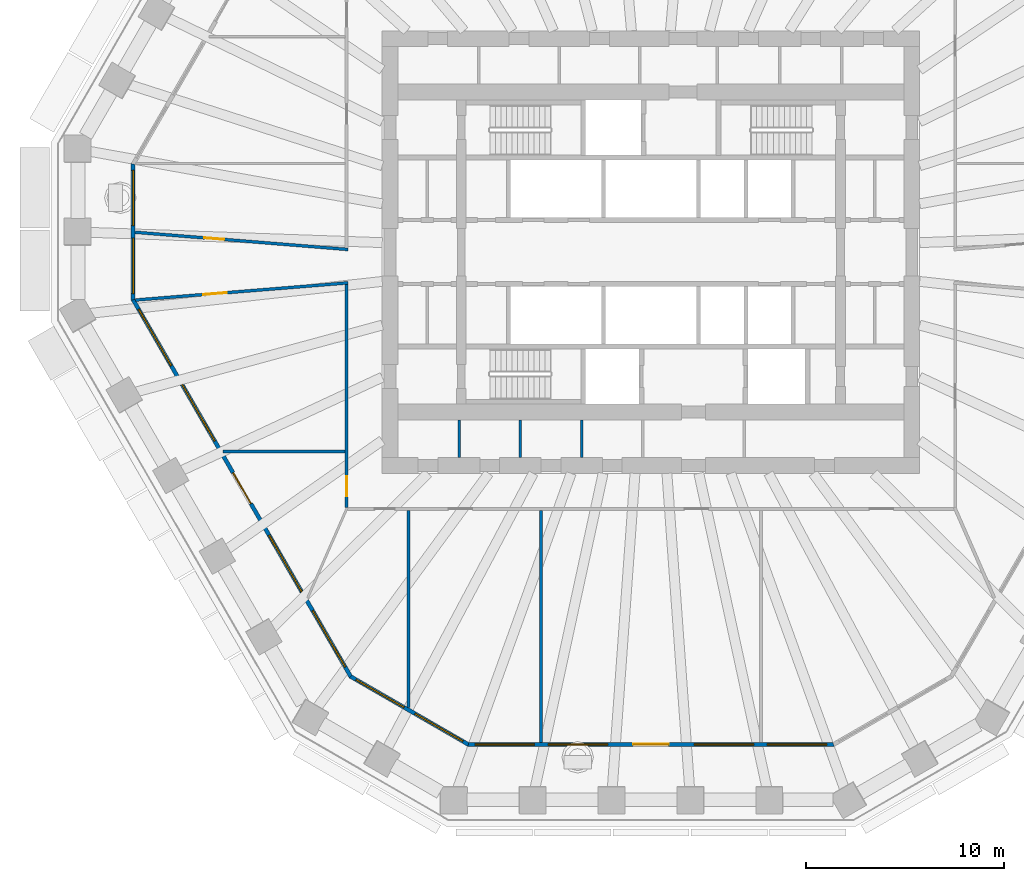
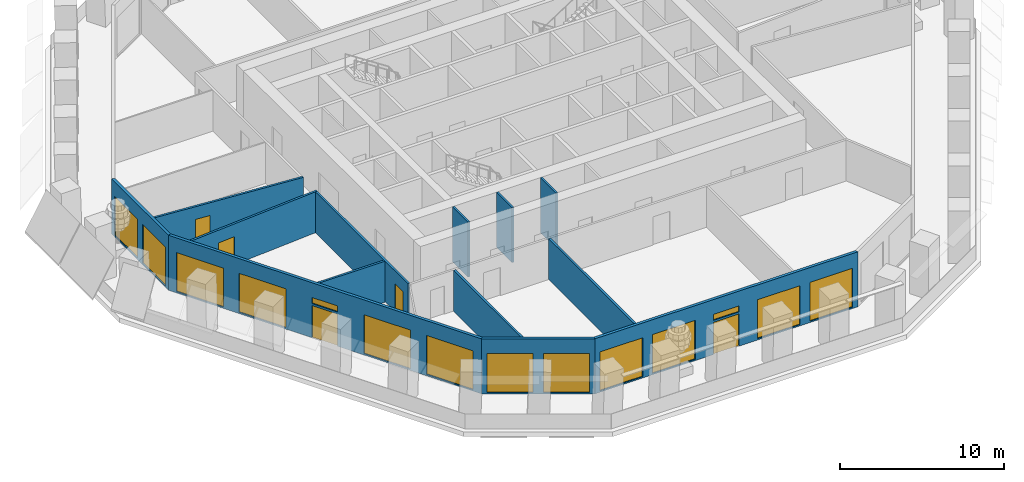
# One storey, part 3 of 13: 14 windows, 13 walls, 5 doors, 19 openings.
"""IFC4 building model written with IfcOpenShell, lengths in metres."""

from ifc_helpers import new_model, si_unit, direction, frame, frame_2d, origin, place, context, subcontext, project, spatial, polyline, rectangle, outline, extrude, material, layer, layer_set, type_object, element, fill, save


model = new_model("IFC4")

# Units and contexts
model_context = context("Model", 3, precision=1e-05, world=origin(), true_north=direction((0.0, 1.0)))
body_context = subcontext(model_context, "Body", "Model", "MODEL_VIEW")
ifc_project = project(units=[si_unit("LENGTHUNIT", "METRE"), si_unit("AREAUNIT", "SQUARE_METRE"), si_unit("VOLUMEUNIT", "CUBIC_METRE"), si_unit("PLANEANGLEUNIT", "RADIAN"), si_unit("MASSUNIT", "GRAM", prefix="KILO")], contexts=[model_context])

# Site, building, storey
site_placement = place(None, origin())
site = spatial("IfcSite", under=ifc_project, at=site_placement, CompositionType="ELEMENT")
building_placement = place(site_placement, origin())
building = spatial("IfcBuilding", under=site, at=building_placement, Name="Frailejon Research Tower", CompositionType="ELEMENT")
storey_placement = place(building_placement, frame((0.0, 0.0, 113.199951171875)))
storey = spatial("IfcBuildingStorey", under=building, at=storey_placement, Name="L24", CompositionType="ELEMENT", Elevation=113.199951171875)

# Walls
ifc_material_1 = material(Name="Plasterboard on steel studs", Category="steel")
ifc_layer_1 = layer(ifc_material_1, 0.125)
ifc_layer_set_1 = layer_set([ifc_layer_1], Name="Core partition 125")
wall_type_1 = type_object("IfcWallType", Name="Core partition 125", PredefinedType="PARTITIONING", material=ifc_layer_set_1)
for number, where, z_axis, x_axis, name in (
    (1, (-9.703125, -10.39990234375, 0.0), (0.0, 0.0, 1.0), (0.0, 1.0, 0.0), "Core partition"),
    (2, (-6.606201171875, -10.39990234375, 0.0), (0.0, 0.0, 1.0), (0.0, 1.0, 0.0), "Core partition"),
    (3, (-3.509521484375, -10.39990234375, 0.0), (0.0, 0.0, 1.0), (0.0, 1.0, 0.0), "Core partition"),
):
    element("IfcWall", number, at=place(storey_placement, frame(where, z_axis=z_axis, x_axis=x_axis)), inside=storey, type_object=wall_type_1, Name=name, PredefinedType="PARTITIONING", context=body_context, shape_type="SweptSolid", body=[
        extrude(rectangle(XDim=1.89990234375, YDim=0.125, at=frame_2d((0.949951171875, 0.0))), origin(), (0.0, 0.0, 1.0), 4.10009765625),
    ])

# Wall, opening, door
ifc_material_2 = material(Name="Gypsum board and masonry partition", Category="masonry")
ifc_layer_2 = layer(ifc_material_2, 0.14990234375)
ifc_layer_set_2 = layer_set([ifc_layer_2], Name="Corridor wall EI 60, gypsum on steel studs 150")
wall_type_2 = type_object("IfcWallType", Name="Corridor wall EI 60, gypsum on steel studs 150", PredefinedType="PARTITIONING", material=ifc_layer_set_2)
wall_1_placement = place(storey_placement, frame((-15.39990234375, -12.925048828125, 0.0), z_axis=(0.0, 0.0, 1.0), x_axis=(0.0, 1.0, 0.0)))
wall_1 = element("IfcWall", 4, at=wall_1_placement, inside=storey, type_object=wall_type_2, Name="T:IW:L24:004", PredefinedType="PARTITIONING", context=body_context, shape_type="SweptSolid", body=[
    extrude(rectangle(XDim=11.2861328125, YDim=0.14990234375, at=frame_2d((5.64306640625, 0.0))), origin(), (0.0, 0.0, 1.0), 3.050048828125),
])
opening_1_placement = place(wall_1_placement, frame((0.57763671875, 0.0, 0.0)))
opening_1 = element("IfcOpeningElement", 5, at=opening_1_placement, cuts=wall_1, Name="Opening D1609", PredefinedType="OPENING", context=body_context, shape_type="SweptSolid", body=[
    extrude(rectangle(XDim=1.0, YDim=2.10009765625, at=frame_2d((0.5, 1.050048828125))), frame((0.0, 0.0849609375, 0.0), z_axis=(0.0, -1.0, 0.0), x_axis=(1.0, 0.0, 0.0)), (0.0, 0.0, 1.0), 0.169921875),
])
ifc_material_3 = material(Name="Timber door leaf", Category="wood")
door_type_1 = type_object("IfcDoorType", Name="Door single leaf, timber, steel frame 1000", OperationType="NOTDEFINED", PredefinedType="DOOR", material=ifc_material_3)
door_1_placement = place(opening_1_placement, origin())
door_1 = element("IfcDoor", 6, at=door_1_placement, inside=storey, type_object=door_type_1, Name="D1609", OperationType="SINGLE_SWING_LEFT", OverallHeight=2.10009765625, OverallWidth=1.0, PredefinedType="DOOR", context=body_context, shape_type="SweptSolid", body=[
    extrude(rectangle(XDim=1.0, YDim=2.10009765625, at=frame_2d((0.5, 1.050048828125))), frame((0.0, 0.02490234375, 0.0), z_axis=(0.0, -1.0, 0.0), x_axis=(1.0, 0.0, 0.0)), (0.0, 0.0, 1.0), 0.050048828125),
])
fill(opening_1, door_1)

wall_2_placement = place(storey_placement, frame((-26.1005859375, 1.001953125, 0.0), z_axis=(0.0, 0.0, 1.0), x_axis=(0.996742849111, -0.08064547567, 0.0)))
wall_2 = element("IfcWall", 7, at=wall_2_placement, inside=storey, type_object=wall_type_2, Name="T:IW:L24:007", PredefinedType="PARTITIONING", context=body_context, shape_type="SweptSolid", body=[
    extrude(rectangle(XDim=10.810546875, YDim=0.14990234375, at=frame_2d((5.4052734375, 0.0))), origin(), (0.0, 0.0, 1.0), 3.050048828125),
])
opening_2_placement = place(wall_2_placement, frame((3.512451171875, 0.0, 0.0)))
opening_2 = element("IfcOpeningElement", 8, at=opening_2_placement, cuts=wall_2, Name="Opening D1607", PredefinedType="OPENING", context=body_context, shape_type="SweptSolid", body=[
    extrude(rectangle(XDim=1.0, YDim=2.10009765625, at=frame_2d((0.5, 1.050048828125))), frame((0.0, 0.0849609375, 0.0), z_axis=(0.0, -1.0, 0.0), x_axis=(1.0, 0.0, 0.0)), (0.0, 0.0, 1.0), 0.169921875),
])
door_2_placement = place(opening_2_placement, origin())
door_2 = element("IfcDoor", 9, at=door_2_placement, inside=storey, type_object=door_type_1, Name="D1607", OperationType="SINGLE_SWING_LEFT", OverallHeight=2.10009765625, OverallWidth=1.0, PredefinedType="DOOR", context=body_context, shape_type="SweptSolid", body=[
    extrude(rectangle(XDim=1.0, YDim=2.10009765625, at=frame_2d((0.5, 1.050048828125))), frame((0.0, 0.02490234375, 0.0), z_axis=(0.0, -1.0, 0.0), x_axis=(1.0, 0.0, 0.0)), (0.0, 0.0, 1.0), 0.050048828125),
])
fill(opening_2, door_2)

wall_3_placement = place(storey_placement, frame((-26.080078125, -2.427978515625, 0.0), z_axis=(0.0, 0.0, 1.0), x_axis=(0.996743219483, 0.080640897899, 0.0)))
wall_3 = element("IfcWall", 10, at=wall_3_placement, inside=storey, type_object=wall_type_2, Name="T:IW:L24:008", PredefinedType="PARTITIONING", context=body_context, shape_type="SweptSolid", body=[
    extrude(rectangle(XDim=10.7900390625, YDim=0.14990234375, at=frame_2d((5.39501953125, 0.0))), origin(), (0.0, 0.0, 1.0), 3.050048828125),
])
opening_3_placement = place(wall_3_placement, frame((3.435302734375, 0.0, 0.0)))
opening_3 = element("IfcOpeningElement", 11, at=opening_3_placement, cuts=wall_3, Name="Opening D1608", PredefinedType="OPENING", context=body_context, shape_type="SweptSolid", body=[
    extrude(rectangle(XDim=1.199951171875, YDim=2.10009765625, at=frame_2d((0.60009765625, 1.050048828125))), frame((0.0, 0.0849609375, 0.0), z_axis=(0.0, -1.0, 0.0), x_axis=(1.0, 0.0, 0.0)), (0.0, 0.0, 1.0), 0.169921875),
])
ifc_material_4 = material(Name="Timber door leaf", Category="wood")
door_type_2 = type_object("IfcDoorType", Name="Door laboratory, timber, vision panel 1200", OperationType="NOTDEFINED", PredefinedType="DOOR", material=ifc_material_4)
door_3_placement = place(opening_3_placement, origin())
door_3 = element("IfcDoor", 12, at=door_3_placement, inside=storey, type_object=door_type_2, Name="D1608", OperationType="DOUBLE_DOOR_SINGLE_SWING", OverallHeight=2.10009765625, OverallWidth=1.199951171875, PredefinedType="DOOR", context=body_context, shape_type="SweptSolid", body=[
    extrude(rectangle(XDim=1.199951171875, YDim=2.10009765625, at=frame_2d((0.60009765625, 1.050048828125))), frame((0.0, 0.02490234375, 0.0), z_axis=(0.0, -1.0, 0.0), x_axis=(1.0, 0.0, 0.0)), (0.0, 0.0, 1.0), 0.050048828125),
])
fill(opening_3, door_3)

# Walls
ifc_material_5 = material(Name="Gypsum board and masonry partition", Category="masonry")
ifc_layer_3 = layer(ifc_material_5, 0.14990234375)
ifc_layer_set_3 = layer_set([ifc_layer_3], Name="Laboratory partition, blockwork 150")
wall_type_3 = type_object("IfcWallType", Name="Laboratory partition, blockwork 150", PredefinedType="PARTITIONING", material=ifc_layer_set_3)
wall_4_placement = place(storey_placement, frame((-21.656982421875, -10.089111328125, 0.0), z_axis=(0.0, 0.0, 1.0), x_axis=(1.0, 0.0, 0.0)))
element("IfcWall", 13, at=wall_4_placement, inside=storey, type_object=wall_type_3, Name="T:IW:L24:015", PredefinedType="PARTITIONING", context=body_context, shape_type="SweptSolid", body=[
    extrude(rectangle(XDim=6.181884765625, YDim=0.14990234375, at=frame_2d((3.0908203125, 0.0))), origin(), (0.0, 0.0, 1.0), 3.050048828125),
])
wall_5_placement = place(storey_placement, frame((-12.2685546875, -23.05517578125, 0.0), z_axis=(0.0, 0.0, 1.0), x_axis=(0.0, 1.0, 0.0)))
element("IfcWall", 14, at=wall_5_placement, inside=storey, type_object=wall_type_3, Name="T:IW:L24:016", PredefinedType="PARTITIONING", context=body_context, shape_type="SweptSolid", body=[
    extrude(rectangle(XDim=9.980224609375, YDim=0.14990234375, at=frame_2d((4.990234375, 0.0))), origin(), (0.0, 0.0, 1.0), 3.050048828125),
])
wall_6_placement = place(storey_placement, frame((-5.56103515625, -24.818115234375, 0.0), z_axis=(0.0, 0.0, 1.0), x_axis=(0.0, 1.0, 0.0)))
element("IfcWall", 15, at=wall_6_placement, inside=storey, type_object=wall_type_3, Name="T:IW:L24:017", PredefinedType="PARTITIONING", context=body_context, shape_type="SweptSolid", body=[
    extrude(rectangle(XDim=11.7431640625, YDim=0.14990234375, at=frame_2d((5.87158203125, 0.0))), origin(), (0.0, 0.0, 1.0), 3.050048828125),
])

# Wall, openings, windows
ifc_material_6 = material(Name="Concrete C40/50 precast window wall panel", Category="concrete")
ifc_layer_4 = layer(ifc_material_6, 0.199951171875)
ifc_layer_set_4 = layer_set([ifc_layer_4], Name="Window wall 200")
wall_type_4 = type_object("IfcWallType", Name="Window wall 200", PredefinedType="SOLIDWALL", material=ifc_layer_set_4)
wall_7_placement = place(storey_placement, frame((-26.20068359375, 4.45556640625, 0.0), z_axis=(0.0, 0.0, 1.0), x_axis=(0.0, -1.0, 0.0)))
wall_7 = element("IfcWall", 16, at=wall_7_placement, inside=storey, type_object=wall_type_4, Name="Exterior wall L24", PredefinedType="SOLIDWALL", context=body_context, shape_type="SweptSolid", body=[
    extrude(outline(polyline([(-0.02685546875, -0.10009765625), (1.1279296875, -0.10009765625), (2.28271484375, -0.10009765625), (3.4375, -0.10009765625), (4.592041015625, -0.10009765625), (5.746826171875, -0.10009765625), (6.901611328125, -0.10009765625), (6.847900390625, 0.10009765625), (5.7109375, 0.10009765625), (4.57421875, 0.10009765625), (3.4375, 0.10009765625), (2.300537109375, 0.10009765625), (1.16357421875, 0.10009765625), (0.02685546875, 0.10009765625), (-0.02685546875, -0.10009765625)])), origin(), (0.0, 0.0, 1.0), 4.10009765625),
])
opening_4_placement = place(wall_7_placement, frame((0.318603515625, 0.0, 0.10009765625)))
opening_4 = element("IfcOpeningElement", 17, at=opening_4_placement, cuts=wall_7, Name="Opening W3", PredefinedType="OPENING", context=body_context, shape_type="SweptSolid", body=[
    extrude(rectangle(XDim=2.800048828125, YDim=2.89990234375, at=frame_2d((1.39990234375, 1.449951171875))), frame((0.0, 0.10986328125, 0.0), z_axis=(0.0, -1.0, 0.0), x_axis=(1.0, 0.0, 0.0)), (0.0, 0.0, 1.0), 0.219970703125),
])
opening_5_placement = place(wall_7_placement, frame((3.756103515625, 0.0, 0.10009765625)))
opening_5 = element("IfcOpeningElement", 18, at=opening_5_placement, cuts=wall_7, Name="Opening W3", PredefinedType="OPENING", context=body_context, shape_type="SweptSolid", body=[
    extrude(rectangle(XDim=2.800048828125, YDim=2.89990234375, at=frame_2d((1.39990234375, 1.449951171875))), frame((0.0, 0.10986328125, 0.0), z_axis=(0.0, -1.0, 0.0), x_axis=(1.0, 0.0, 0.0)), (0.0, 0.0, 1.0), 0.219970703125),
])
ifc_material_7 = material(Name="Aluminium framed double glazing", Category="aluminium")
window_type_1 = type_object("IfcWindowType", Name="Window 2800x2900", PartitioningType="SINGLE_PANEL", PredefinedType="WINDOW", material=ifc_material_7)
window_1_placement = place(opening_4_placement, origin())
window_1 = element("IfcWindow", 19, at=window_1_placement, inside=storey, type_object=window_type_1, Name="Window L24", OverallHeight=2.89990234375, OverallWidth=2.800048828125, PartitioningType="SINGLE_PANEL", PredefinedType="WINDOW", context=body_context, shape_type="SweptSolid", body=[
    extrude(rectangle(XDim=2.800048828125, YDim=2.89990234375, at=frame_2d((1.39990234375, 1.449951171875))), frame((0.0, 0.030029296875, 0.0), z_axis=(0.0, -1.0, 0.0), x_axis=(1.0, 0.0, 0.0)), (0.0, 0.0, 1.0), 0.06005859375),
])
fill(opening_4, window_1)
window_2_placement = place(opening_5_placement, origin())
window_2 = element("IfcWindow", 20, at=window_2_placement, inside=storey, type_object=window_type_1, Name="Window L24", OverallHeight=2.89990234375, OverallWidth=2.800048828125, PartitioningType="SINGLE_PANEL", PredefinedType="WINDOW", context=body_context, shape_type="SweptSolid", body=[
    extrude(rectangle(XDim=2.800048828125, YDim=2.89990234375, at=frame_2d((1.39990234375, 1.449951171875))), frame((0.0, 0.030029296875, 0.0), z_axis=(0.0, -1.0, 0.0), x_axis=(1.0, 0.0, 0.0)), (0.0, 0.0, 1.0), 0.06005859375),
])
fill(opening_5, window_2)

# Wall, openings, door, windows
wall_8_placement = place(storey_placement, frame((-26.20068359375, -2.419189453125, 0.0), z_axis=(0.0, 0.0, 1.0), x_axis=(0.500001855394, -0.86602433257, 0.0)))
wall_8 = element("IfcWall", 21, at=wall_8_placement, inside=storey, type_object=wall_type_4, Name="Exterior wall L24", PredefinedType="SOLIDWALL", context=body_context, shape_type="SweptSolid", body=[
    extrude(outline(polyline([(-0.02685546875, -0.10009765625), (0.97607421875, -0.10009765625), (1.97900390625, -0.10009765625), (2.98193359375, -0.10009765625), (3.98486328125, -0.10009765625), (4.98779296875, -0.10009765625), (5.99072265625, -0.10009765625), (6.99365234375, -0.10009765625), (7.99658203125, -0.10009765625), (8.99951171875, -0.10009765625), (10.00244140625, -0.10009765625), (11.00537109375, -0.10009765625), (12.00830078125, -0.10009765625), (13.01123046875, -0.10009765625), (14.01416015625, -0.10009765625), (15.01708984375, -0.10009765625), (16.02001953125, -0.10009765625), (17.02294921875, -0.10009765625), (18.02587890625, -0.10009765625), (19.02880859375, -0.10009765625), (20.03173828125, -0.10009765625), (21.03466796875, -0.10009765625), (22.03759765625, -0.10009765625), (21.98388671875, 0.10009765625), (20.98583984375, 0.10009765625), (19.98779296875, 0.10009765625), (18.98974609375, 0.10009765625), (17.99169921875, 0.10009765625), (16.99365234375, 0.10009765625), (15.99560546875, 0.10009765625), (14.99755859375, 0.10009765625), (13.99951171875, 0.10009765625), (13.00146484375, 0.10009765625), (12.00341796875, 0.10009765625), (11.00537109375, 0.10009765625), (10.00732421875, 0.10009765625), (9.00927734375, 0.10009765625), (8.01123046875, 0.10009765625), (7.01318359375, 0.10009765625), (6.01513671875, 0.10009765625), (5.01708984375, 0.10009765625), (4.01904296875, 0.10009765625), (3.02099609375, 0.10009765625), (2.02294921875, 0.10009765625), (1.02490234375, 0.10009765625), (0.02685546875, 0.10009765625), (-0.02685546875, -0.10009765625)])), origin(), (0.0, 0.0, 1.0), 4.10009765625),
])
opening_6_placement = place(wall_8_placement, frame((0.551025390625, 0.0, 0.10009765625)))
opening_6 = element("IfcOpeningElement", 22, at=opening_6_placement, cuts=wall_8, Name="Opening W5", PredefinedType="OPENING", context=body_context, shape_type="SweptSolid", body=[
    extrude(rectangle(XDim=3.300048828125, YDim=2.89990234375, at=frame_2d((1.64990234375, 1.449951171875))), frame((0.0, 0.10986328125, 0.0), z_axis=(0.0, -1.0, 0.0), x_axis=(1.0, 0.0, 0.0)), (0.0, 0.0, 1.0), 0.219970703125),
])
opening_7_placement = place(wall_8_placement, frame((4.953125, 0.0, 0.10009765625)))
opening_7 = element("IfcOpeningElement", 23, at=opening_7_placement, cuts=wall_8, Name="Opening W5", PredefinedType="OPENING", context=body_context, shape_type="SweptSolid", body=[
    extrude(rectangle(XDim=3.300048828125, YDim=2.89990234375, at=frame_2d((1.64990234375, 1.449951171875))), frame((0.0, 0.10986328125, 0.0), z_axis=(0.0, -1.0, 0.0), x_axis=(1.0, 0.0, 0.0)), (0.0, 0.0, 1.0), 0.219970703125),
])
opening_8_placement = place(wall_8_placement, frame((10.105224609375, 0.0, 0.0)))
opening_8 = element("IfcOpeningElement", 24, at=opening_8_placement, cuts=wall_8, Name="Opening LG24-4", PredefinedType="OPENING", context=body_context, shape_type="SweptSolid", body=[
    extrude(rectangle(XDim=1.800048828125, YDim=2.39990234375, at=frame_2d((0.89990234375, 1.199951171875))), frame((0.0, 0.10986328125, 0.0), z_axis=(0.0, -1.0, 0.0), x_axis=(1.0, 0.0, 0.0)), (0.0, 0.0, 1.0), 0.219970703125),
])
opening_9_placement = place(wall_8_placement, frame((10.105224609375, 0.0, 2.550048828125)))
opening_9 = element("IfcOpeningElement", 25, at=opening_9_placement, cuts=wall_8, Name="Opening W1", PredefinedType="OPENING", context=body_context, shape_type="SweptSolid", body=[
    extrude(rectangle(XDim=1.800048828125, YDim=0.449951171875, at=frame_2d((0.89990234375, 0.22509765625))), frame((0.0, 0.10986328125, 0.0), z_axis=(0.0, -1.0, 0.0), x_axis=(1.0, 0.0, 0.0)), (0.0, 0.0, 1.0), 0.219970703125),
])
opening_10_placement = place(wall_8_placement, frame((13.757568359375, 0.0, 0.10009765625)))
opening_10 = element("IfcOpeningElement", 26, at=opening_10_placement, cuts=wall_8, Name="Opening W5", PredefinedType="OPENING", context=body_context, shape_type="SweptSolid", body=[
    extrude(rectangle(XDim=3.300048828125, YDim=2.89990234375, at=frame_2d((1.64990234375, 1.449951171875))), frame((0.0, 0.10986328125, 0.0), z_axis=(0.0, -1.0, 0.0), x_axis=(1.0, 0.0, 0.0)), (0.0, 0.0, 1.0), 0.219970703125),
])
opening_11_placement = place(wall_8_placement, frame((18.15966796875, 0.0, 0.10009765625)))
opening_11 = element("IfcOpeningElement", 27, at=opening_11_placement, cuts=wall_8, Name="Opening W5", PredefinedType="OPENING", context=body_context, shape_type="SweptSolid", body=[
    extrude(rectangle(XDim=3.300048828125, YDim=2.89990234375, at=frame_2d((1.64990234375, 1.449951171875))), frame((0.0, 0.10986328125, 0.0), z_axis=(0.0, -1.0, 0.0), x_axis=(1.0, 0.0, 0.0)), (0.0, 0.0, 1.0), 0.219970703125),
])
ifc_material_8 = material(Name="Aluminium framed glazed door leaf", Category="aluminium")
door_type_3 = type_object("IfcDoorType", Name="Loggia door 1800x2400", OperationType="DOUBLE_DOOR_SINGLE_SWING", PredefinedType="DOOR", material=ifc_material_8)
door_4_placement = place(opening_8_placement, origin())
door_4 = element("IfcDoor", 28, at=door_4_placement, inside=storey, type_object=door_type_3, Name="Door LG24-4", OperationType="DOUBLE_DOOR_SINGLE_SWING", OverallHeight=2.39990234375, OverallWidth=1.800048828125, PredefinedType="DOOR", context=body_context, shape_type="SweptSolid", body=[
    extrude(rectangle(XDim=1.800048828125, YDim=2.39990234375, at=frame_2d((0.89990234375, 1.199951171875))), frame((0.0, 0.02490234375, 0.0), z_axis=(0.0, -1.0, 0.0), x_axis=(1.0, 0.0, 0.0)), (0.0, 0.0, 1.0), 0.050048828125),
])
fill(opening_8, door_4)
ifc_material_9 = material(Name="Aluminium framed double glazing", Category="aluminium")
window_type_2 = type_object("IfcWindowType", Name="Window 1800x450", PartitioningType="SINGLE_PANEL", PredefinedType="WINDOW", material=ifc_material_9)
window_3_placement = place(opening_9_placement, origin())
window_3 = element("IfcWindow", 29, at=window_3_placement, inside=storey, type_object=window_type_2, Name="Window L24", OverallHeight=0.449951171875, OverallWidth=1.800048828125, PartitioningType="SINGLE_PANEL", PredefinedType="WINDOW", context=body_context, shape_type="SweptSolid", body=[
    extrude(rectangle(XDim=1.800048828125, YDim=0.449951171875, at=frame_2d((0.89990234375, 0.22509765625))), frame((0.0, 0.030029296875, 0.0), z_axis=(0.0, -1.0, 0.0), x_axis=(1.0, 0.0, 0.0)), (0.0, 0.0, 1.0), 0.06005859375),
])
fill(opening_9, window_3)
ifc_material_10 = material(Name="Aluminium framed double glazing", Category="aluminium")
window_type_3 = type_object("IfcWindowType", Name="Window 3300x2900", PartitioningType="SINGLE_PANEL", PredefinedType="WINDOW", material=ifc_material_10)
window_4_placement = place(opening_6_placement, origin())
window_4 = element("IfcWindow", 30, at=window_4_placement, inside=storey, type_object=window_type_3, Name="Window L24", OverallHeight=2.89990234375, OverallWidth=3.300048828125, PartitioningType="SINGLE_PANEL", PredefinedType="WINDOW", context=body_context, shape_type="SweptSolid", body=[
    extrude(rectangle(XDim=3.300048828125, YDim=2.89990234375, at=frame_2d((1.64990234375, 1.449951171875))), frame((0.0, 0.030029296875, 0.0), z_axis=(0.0, -1.0, 0.0), x_axis=(1.0, 0.0, 0.0)), (0.0, 0.0, 1.0), 0.06005859375),
])
fill(opening_6, window_4)
window_5_placement = place(opening_7_placement, origin())
window_5 = element("IfcWindow", 31, at=window_5_placement, inside=storey, type_object=window_type_3, Name="Window L24", OverallHeight=2.89990234375, OverallWidth=3.300048828125, PartitioningType="SINGLE_PANEL", PredefinedType="WINDOW", context=body_context, shape_type="SweptSolid", body=[
    extrude(rectangle(XDim=3.300048828125, YDim=2.89990234375, at=frame_2d((1.64990234375, 1.449951171875))), frame((0.0, 0.030029296875, 0.0), z_axis=(0.0, -1.0, 0.0), x_axis=(1.0, 0.0, 0.0)), (0.0, 0.0, 1.0), 0.06005859375),
])
fill(opening_7, window_5)
window_6_placement = place(opening_10_placement, origin())
window_6 = element("IfcWindow", 32, at=window_6_placement, inside=storey, type_object=window_type_3, Name="Window L24", OverallHeight=2.89990234375, OverallWidth=3.300048828125, PartitioningType="SINGLE_PANEL", PredefinedType="WINDOW", context=body_context, shape_type="SweptSolid", body=[
    extrude(rectangle(XDim=3.300048828125, YDim=2.89990234375, at=frame_2d((1.64990234375, 1.449951171875))), frame((0.0, 0.030029296875, 0.0), z_axis=(0.0, -1.0, 0.0), x_axis=(1.0, 0.0, 0.0)), (0.0, 0.0, 1.0), 0.06005859375),
])
fill(opening_10, window_6)
window_7_placement = place(opening_11_placement, origin())
window_7 = element("IfcWindow", 33, at=window_7_placement, inside=storey, type_object=window_type_3, Name="Window L24", OverallHeight=2.89990234375, OverallWidth=3.300048828125, PartitioningType="SINGLE_PANEL", PredefinedType="WINDOW", context=body_context, shape_type="SweptSolid", body=[
    extrude(rectangle(XDim=3.300048828125, YDim=2.89990234375, at=frame_2d((1.64990234375, 1.449951171875))), frame((0.0, 0.030029296875, 0.0), z_axis=(0.0, -1.0, 0.0), x_axis=(1.0, 0.0, 0.0)), (0.0, 0.0, 1.0), 0.06005859375),
])
fill(opening_11, window_7)

# Wall, openings, windows
wall_9_placement = place(storey_placement, frame((-15.1953125, -21.48095703125, 0.0), z_axis=(0.0, 0.0, 1.0), x_axis=(0.866029458321, -0.49999297727, 0.0)))
wall_9 = element("IfcWall", 34, at=wall_9_placement, inside=storey, type_object=wall_type_4, Name="Exterior wall L24", PredefinedType="SOLIDWALL", context=body_context, shape_type="SweptSolid", body=[
    extrude(outline(polyline([(-0.02685546875, -0.10009765625), (1.1279296875, -0.10009765625), (2.282470703125, -0.10009765625), (3.437255859375, -0.10009765625), (4.592041015625, -0.10009765625), (5.74658203125, -0.10009765625), (6.9013671875, -0.10009765625), (6.84765625, 0.10009765625), (5.7109375, 0.10009765625), (4.573974609375, 0.10009765625), (3.437255859375, 0.10009765625), (2.300537109375, 0.10009765625), (1.16357421875, 0.10009765625), (0.02685546875, 0.10009765625), (-0.02685546875, -0.10009765625)])), origin(), (0.0, 0.0, 1.0), 4.10009765625),
])
opening_12_placement = place(wall_9_placement, frame((0.318603515625, 0.0, 0.10009765625)))
opening_12 = element("IfcOpeningElement", 35, at=opening_12_placement, cuts=wall_9, Name="Opening W3", PredefinedType="OPENING", context=body_context, shape_type="SweptSolid", body=[
    extrude(rectangle(XDim=2.800048828125, YDim=2.89990234375, at=frame_2d((1.39990234375, 1.449951171875))), frame((0.0, 0.10986328125, 0.0), z_axis=(0.0, -1.0, 0.0), x_axis=(1.0, 0.0, 0.0)), (0.0, 0.0, 1.0), 0.219970703125),
])
opening_13_placement = place(wall_9_placement, frame((3.756103515625, 0.0, 0.10009765625)))
opening_13 = element("IfcOpeningElement", 36, at=opening_13_placement, cuts=wall_9, Name="Opening W3", PredefinedType="OPENING", context=body_context, shape_type="SweptSolid", body=[
    extrude(rectangle(XDim=2.800048828125, YDim=2.89990234375, at=frame_2d((1.39990234375, 1.449951171875))), frame((0.0, 0.10986328125, 0.0), z_axis=(0.0, -1.0, 0.0), x_axis=(1.0, 0.0, 0.0)), (0.0, 0.0, 1.0), 0.219970703125),
])
window_8_placement = place(opening_12_placement, origin())
window_8 = element("IfcWindow", 37, at=window_8_placement, inside=storey, type_object=window_type_1, Name="Window L24", OverallHeight=2.89990234375, OverallWidth=2.800048828125, PartitioningType="SINGLE_PANEL", PredefinedType="WINDOW", context=body_context, shape_type="SweptSolid", body=[
    extrude(rectangle(XDim=2.800048828125, YDim=2.89990234375, at=frame_2d((1.39990234375, 1.449951171875))), frame((0.0, 0.030029296875, 0.0), z_axis=(0.0, -1.0, 0.0), x_axis=(1.0, 0.0, 0.0)), (0.0, 0.0, 1.0), 0.06005859375),
])
fill(opening_12, window_8)
window_9_placement = place(opening_13_placement, origin())
window_9 = element("IfcWindow", 38, at=window_9_placement, inside=storey, type_object=window_type_1, Name="Window L24", OverallHeight=2.89990234375, OverallWidth=2.800048828125, PartitioningType="SINGLE_PANEL", PredefinedType="WINDOW", context=body_context, shape_type="SweptSolid", body=[
    extrude(rectangle(XDim=2.800048828125, YDim=2.89990234375, at=frame_2d((1.39990234375, 1.449951171875))), frame((0.0, 0.030029296875, 0.0), z_axis=(0.0, -1.0, 0.0), x_axis=(1.0, 0.0, 0.0)), (0.0, 0.0, 1.0), 0.06005859375),
])
fill(opening_13, window_9)

# Wall, openings, door, windows
wall_10_placement = place(storey_placement, frame((-9.24169921875, -24.918212890625, 0.0), z_axis=(0.0, 0.0, 1.0), x_axis=(1.0, 0.0, 0.0)))
wall_10 = element("IfcWall", 39, at=wall_10_placement, inside=storey, type_object=wall_type_4, Name="Exterior wall L24", PredefinedType="SOLIDWALL", context=body_context, shape_type="SweptSolid", body=[
    extrude(outline(polyline([(-0.02685546875, -0.10009765625), (1.0029296875, -0.10009765625), (2.03271484375, -0.10009765625), (3.062744140625, -0.10009765625), (4.092529296875, -0.10009765625), (5.122314453125, -0.10009765625), (6.152099609375, -0.10009765625), (7.18212890625, -0.10009765625), (8.2119140625, -0.10009765625), (9.24169921875, -0.10009765625), (10.271484375, -0.10009765625), (11.30126953125, -0.10009765625), (12.331298828125, -0.10009765625), (13.361083984375, -0.10009765625), (14.390869140625, -0.10009765625), (15.420654296875, -0.10009765625), (16.45068359375, -0.10009765625), (17.48046875, -0.10009765625), (18.51025390625, -0.10009765625), (18.45654296875, 0.10009765625), (17.4326171875, 0.10009765625), (16.40869140625, 0.10009765625), (15.385009765625, 0.10009765625), (14.361083984375, 0.10009765625), (13.337158203125, 0.10009765625), (12.313232421875, 0.10009765625), (11.28955078125, 0.10009765625), (10.265625, 0.10009765625), (9.24169921875, 0.10009765625), (8.2177734375, 0.10009765625), (7.19384765625, 0.10009765625), (6.170166015625, 0.10009765625), (5.146240234375, 0.10009765625), (4.122314453125, 0.10009765625), (3.098388671875, 0.10009765625), (2.07470703125, 0.10009765625), (1.05078125, 0.10009765625), (0.02685546875, 0.10009765625), (-0.02685546875, -0.10009765625)])), origin(), (0.0, 0.0, 1.0), 4.10009765625),
])
opening_14_placement = place(wall_10_placement, frame((0.348388671875, 0.0, 0.10009765625)))
opening_14 = element("IfcOpeningElement", 40, at=opening_14_placement, cuts=wall_10, Name="Opening W4", PredefinedType="OPENING", context=body_context, shape_type="SweptSolid", body=[
    extrude(rectangle(XDim=3.0, YDim=2.89990234375, at=frame_2d((1.5, 1.449951171875))), frame((0.0, 0.10986328125, 0.0), z_axis=(0.0, -1.0, 0.0), x_axis=(1.0, 0.0, 0.0)), (0.0, 0.0, 1.0), 0.219970703125),
])
opening_15_placement = place(wall_10_placement, frame((4.044921875, 0.0, 0.10009765625)))
opening_15 = element("IfcOpeningElement", 41, at=opening_15_placement, cuts=wall_10, Name="Opening W4", PredefinedType="OPENING", context=body_context, shape_type="SweptSolid", body=[
    extrude(rectangle(XDim=3.0, YDim=2.89990234375, at=frame_2d((1.5, 1.449951171875))), frame((0.0, 0.10986328125, 0.0), z_axis=(0.0, -1.0, 0.0), x_axis=(1.0, 0.0, 0.0)), (0.0, 0.0, 1.0), 0.219970703125),
])
opening_16_placement = place(wall_10_placement, frame((8.341796875, 0.0, 0.0)))
opening_16 = element("IfcOpeningElement", 42, at=opening_16_placement, cuts=wall_10, Name="Opening LG24-5", PredefinedType="OPENING", context=body_context, shape_type="SweptSolid", body=[
    extrude(rectangle(XDim=1.800048828125, YDim=2.39990234375, at=frame_2d((0.89990234375, 1.199951171875))), frame((0.0, 0.10986328125, 0.0), z_axis=(0.0, -1.0, 0.0), x_axis=(1.0, 0.0, 0.0)), (0.0, 0.0, 1.0), 0.219970703125),
])
opening_17_placement = place(wall_10_placement, frame((8.341796875, 0.0, 2.550048828125)))
opening_17 = element("IfcOpeningElement", 43, at=opening_17_placement, cuts=wall_10, Name="Opening W1", PredefinedType="OPENING", context=body_context, shape_type="SweptSolid", body=[
    extrude(rectangle(XDim=1.800048828125, YDim=0.449951171875, at=frame_2d((0.89990234375, 0.22509765625))), frame((0.0, 0.10986328125, 0.0), z_axis=(0.0, -1.0, 0.0), x_axis=(1.0, 0.0, 0.0)), (0.0, 0.0, 1.0), 0.219970703125),
])
opening_18_placement = place(wall_10_placement, frame((11.4384765625, 0.0, 0.10009765625)))
opening_18 = element("IfcOpeningElement", 44, at=opening_18_placement, cuts=wall_10, Name="Opening W4", PredefinedType="OPENING", context=body_context, shape_type="SweptSolid", body=[
    extrude(rectangle(XDim=3.0, YDim=2.89990234375, at=frame_2d((1.5, 1.449951171875))), frame((0.0, 0.10986328125, 0.0), z_axis=(0.0, -1.0, 0.0), x_axis=(1.0, 0.0, 0.0)), (0.0, 0.0, 1.0), 0.219970703125),
])
opening_19_placement = place(wall_10_placement, frame((15.135009765625, 0.0, 0.10009765625)))
opening_19 = element("IfcOpeningElement", 45, at=opening_19_placement, cuts=wall_10, Name="Opening W4", PredefinedType="OPENING", context=body_context, shape_type="SweptSolid", body=[
    extrude(rectangle(XDim=3.0, YDim=2.89990234375, at=frame_2d((1.5, 1.449951171875))), frame((0.0, 0.10986328125, 0.0), z_axis=(0.0, -1.0, 0.0), x_axis=(1.0, 0.0, 0.0)), (0.0, 0.0, 1.0), 0.219970703125),
])
door_5_placement = place(opening_16_placement, origin())
door_5 = element("IfcDoor", 46, at=door_5_placement, inside=storey, type_object=door_type_3, Name="Door LG24-5", OperationType="DOUBLE_DOOR_SINGLE_SWING", OverallHeight=2.39990234375, OverallWidth=1.800048828125, PredefinedType="DOOR", context=body_context, shape_type="SweptSolid", body=[
    extrude(rectangle(XDim=1.800048828125, YDim=2.39990234375, at=frame_2d((0.89990234375, 1.199951171875))), frame((0.0, 0.02490234375, 0.0), z_axis=(0.0, -1.0, 0.0), x_axis=(1.0, 0.0, 0.0)), (0.0, 0.0, 1.0), 0.050048828125),
])
fill(opening_16, door_5)
window_10_placement = place(opening_17_placement, origin())
window_10 = element("IfcWindow", 47, at=window_10_placement, inside=storey, type_object=window_type_2, Name="Window L24", OverallHeight=0.449951171875, OverallWidth=1.800048828125, PartitioningType="SINGLE_PANEL", PredefinedType="WINDOW", context=body_context, shape_type="SweptSolid", body=[
    extrude(rectangle(XDim=1.800048828125, YDim=0.449951171875, at=frame_2d((0.89990234375, 0.22509765625))), frame((0.0, 0.030029296875, 0.0), z_axis=(0.0, -1.0, 0.0), x_axis=(1.0, 0.0, 0.0)), (0.0, 0.0, 1.0), 0.06005859375),
])
fill(opening_17, window_10)
ifc_material_11 = material(Name="Aluminium framed double glazing", Category="aluminium")
window_type_4 = type_object("IfcWindowType", Name="Window 3000x2900", PartitioningType="SINGLE_PANEL", PredefinedType="WINDOW", material=ifc_material_11)
window_11_placement = place(opening_14_placement, origin())
window_11 = element("IfcWindow", 48, at=window_11_placement, inside=storey, type_object=window_type_4, Name="Window L24", OverallHeight=2.89990234375, OverallWidth=3.0, PartitioningType="SINGLE_PANEL", PredefinedType="WINDOW", context=body_context, shape_type="SweptSolid", body=[
    extrude(rectangle(XDim=3.0, YDim=2.89990234375, at=frame_2d((1.5, 1.449951171875))), frame((0.0, 0.030029296875, 0.0), z_axis=(0.0, -1.0, 0.0), x_axis=(1.0, 0.0, 0.0)), (0.0, 0.0, 1.0), 0.06005859375),
])
fill(opening_14, window_11)
window_12_placement = place(opening_15_placement, origin())
window_12 = element("IfcWindow", 49, at=window_12_placement, inside=storey, type_object=window_type_4, Name="Window L24", OverallHeight=2.89990234375, OverallWidth=3.0, PartitioningType="SINGLE_PANEL", PredefinedType="WINDOW", context=body_context, shape_type="SweptSolid", body=[
    extrude(rectangle(XDim=3.0, YDim=2.89990234375, at=frame_2d((1.5, 1.449951171875))), frame((0.0, 0.030029296875, 0.0), z_axis=(0.0, -1.0, 0.0), x_axis=(1.0, 0.0, 0.0)), (0.0, 0.0, 1.0), 0.06005859375),
])
fill(opening_15, window_12)
window_13_placement = place(opening_18_placement, origin())
window_13 = element("IfcWindow", 50, at=window_13_placement, inside=storey, type_object=window_type_4, Name="Window L24", OverallHeight=2.89990234375, OverallWidth=3.0, PartitioningType="SINGLE_PANEL", PredefinedType="WINDOW", context=body_context, shape_type="SweptSolid", body=[
    extrude(rectangle(XDim=3.0, YDim=2.89990234375, at=frame_2d((1.5, 1.449951171875))), frame((0.0, 0.030029296875, 0.0), z_axis=(0.0, -1.0, 0.0), x_axis=(1.0, 0.0, 0.0)), (0.0, 0.0, 1.0), 0.06005859375),
])
fill(opening_18, window_13)
window_14_placement = place(opening_19_placement, origin())
window_14 = element("IfcWindow", 51, at=window_14_placement, inside=storey, type_object=window_type_4, Name="Window L24", OverallHeight=2.89990234375, OverallWidth=3.0, PartitioningType="SINGLE_PANEL", PredefinedType="WINDOW", context=body_context, shape_type="SweptSolid", body=[
    extrude(rectangle(XDim=3.0, YDim=2.89990234375, at=frame_2d((1.5, 1.449951171875))), frame((0.0, 0.030029296875, 0.0), z_axis=(0.0, -1.0, 0.0), x_axis=(1.0, 0.0, 0.0)), (0.0, 0.0, 1.0), 0.06005859375),
])
fill(opening_19, window_14)

save(model, "model.ifc")
